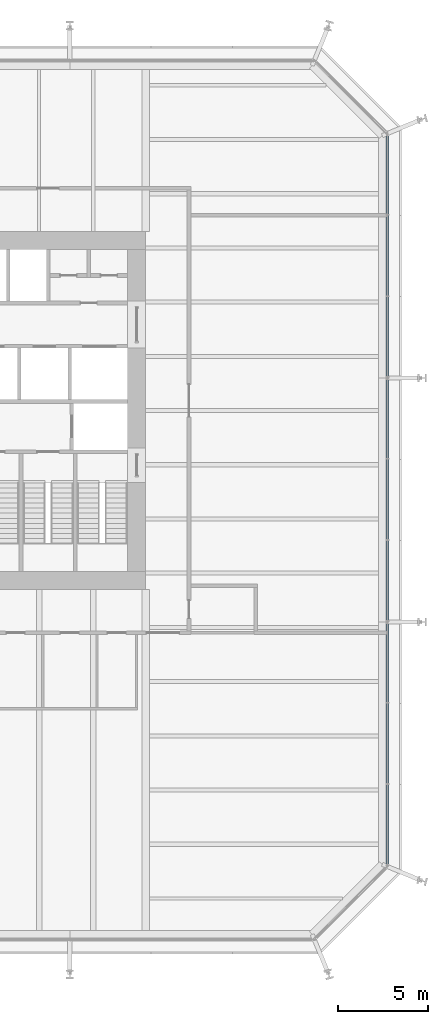
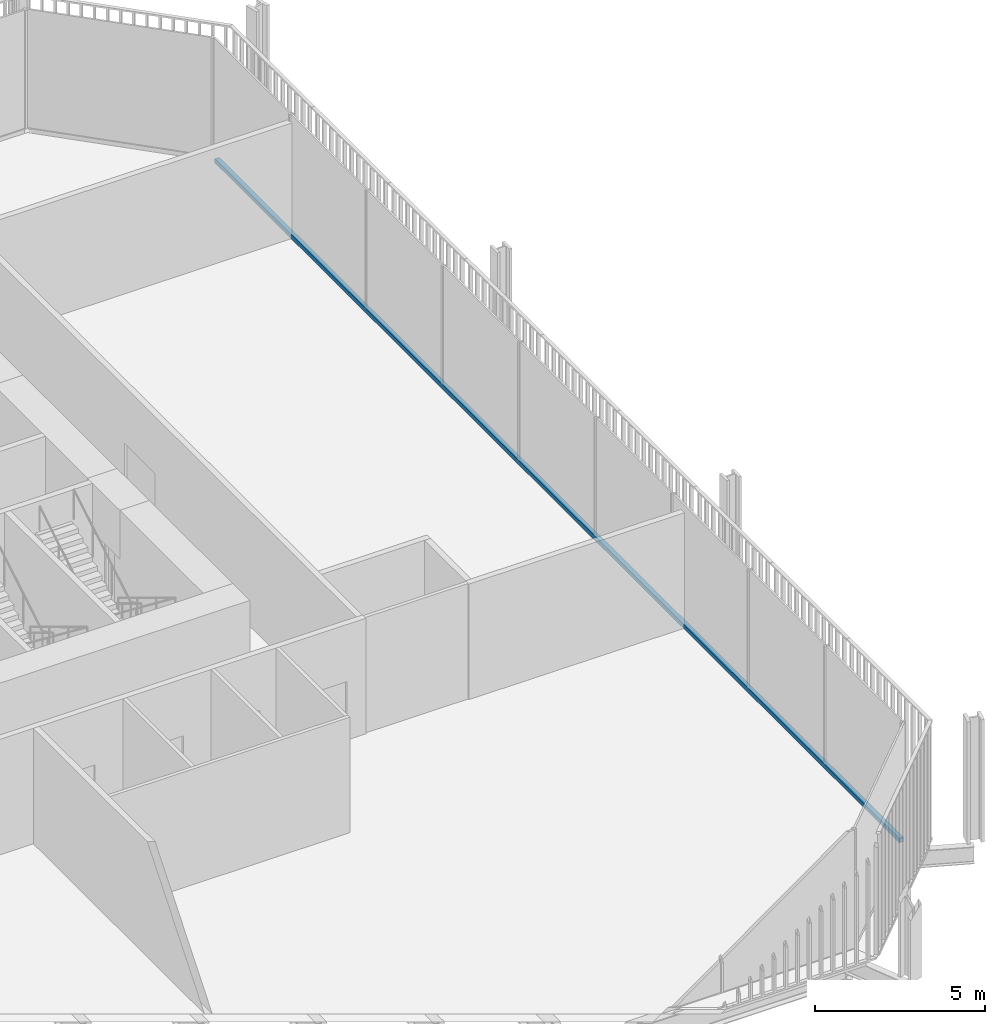
# One storey, part 9 of 20: 1 member, 1 element without a shape of its own.
"""IFC4 building model written with IfcOpenShell, lengths in metres."""

from ifc_helpers import new_model, si_unit, direction, frame, origin, origin_2d, place, context, subcontext, project, spatial, rectangle, extrude, material, layer, layer_set, material_profile, profile_set, type_object, element, aggregate, save


model = new_model("IFC4")

# Units and contexts
model_context = context("Model", 3, precision=1e-05, world=origin(), true_north=direction((0.0, 1.0)))
body_context = subcontext(model_context, "Body", "Model", "MODEL_VIEW")
ifc_project = project(units=[si_unit("LENGTHUNIT", "METRE"), si_unit("AREAUNIT", "SQUARE_METRE"), si_unit("VOLUMEUNIT", "CUBIC_METRE"), si_unit("PLANEANGLEUNIT", "RADIAN"), si_unit("MASSUNIT", "GRAM", prefix="KILO")], contexts=[model_context])

# Site, building, storey
site_placement = place(None, origin())
site = spatial("IfcSite", under=ifc_project, at=site_placement, CompositionType="ELEMENT")
building_placement = place(site_placement, origin())
building = spatial("IfcBuilding", under=site, at=building_placement, Name="Millrace Tower", CompositionType="ELEMENT")
storey_placement = place(building_placement, frame((0.0, 0.0, 108.39990234375)))
storey = spatial("IfcBuildingStorey", under=building, at=storey_placement, Name="L24", CompositionType="ELEMENT", Elevation=108.39990234375)

# Curtain wall, member
ifc_material_1 = material(Name="Aluminium and glass", Category="aluminium")
ifc_layer = layer(ifc_material_1, 0.14990234375)
ifc_layer_set = layer_set([ifc_layer], Name="Aluminium and glass")
curtain_wall_type = type_object("IfcCurtainWallType", Name="CW-3 telecom floor curtain wall", PredefinedType="NOTDEFINED", material=ifc_layer_set)
curtain_wall_placement = place(storey_placement, origin())
curtain_wall = element("IfcCurtainWall", 1, at=curtain_wall_placement, inside=storey, type_object=curtain_wall_type, Name="Curtain wall B-F04 L24", PredefinedType="NOTDEFINED")
ifc_material_2 = material(Name="Aluminium", Category="aluminium")
ifc_material_profile = material_profile(ifc_material_2, rectangle(XDim=0.14990234375, YDim=0.14990234375, at=origin_2d()))
ifc_profile_set = profile_set([ifc_material_profile], Name="Aluminium")
member_type = type_object("IfcMemberType", Name="CW-3 telecom floor curtain wall transom", PredefinedType="USERDEFINED", material=ifc_profile_set)
member_placement = place(storey_placement, frame((28.27490234375, -25.10009765625, 0.0751953125), z_axis=(0.0, 1.0, 0.0), x_axis=(-1.0, 0.0, 0.0)))
member = element("IfcMember", 2, at=member_placement, type_object=member_type, Name="CW3 transom B-F04.1", ObjectType="TRANSOM", PredefinedType="USERDEFINED", context=body_context, shape_type="SweptSolid", body=[
    extrude(rectangle(XDim=0.14990234375, YDim=0.14990234375, at=origin_2d()), origin(), (0.0, 0.0, 1.0), 40.300048828125),
])
aggregate(curtain_wall, [member])

save(model, "model.ifc")
